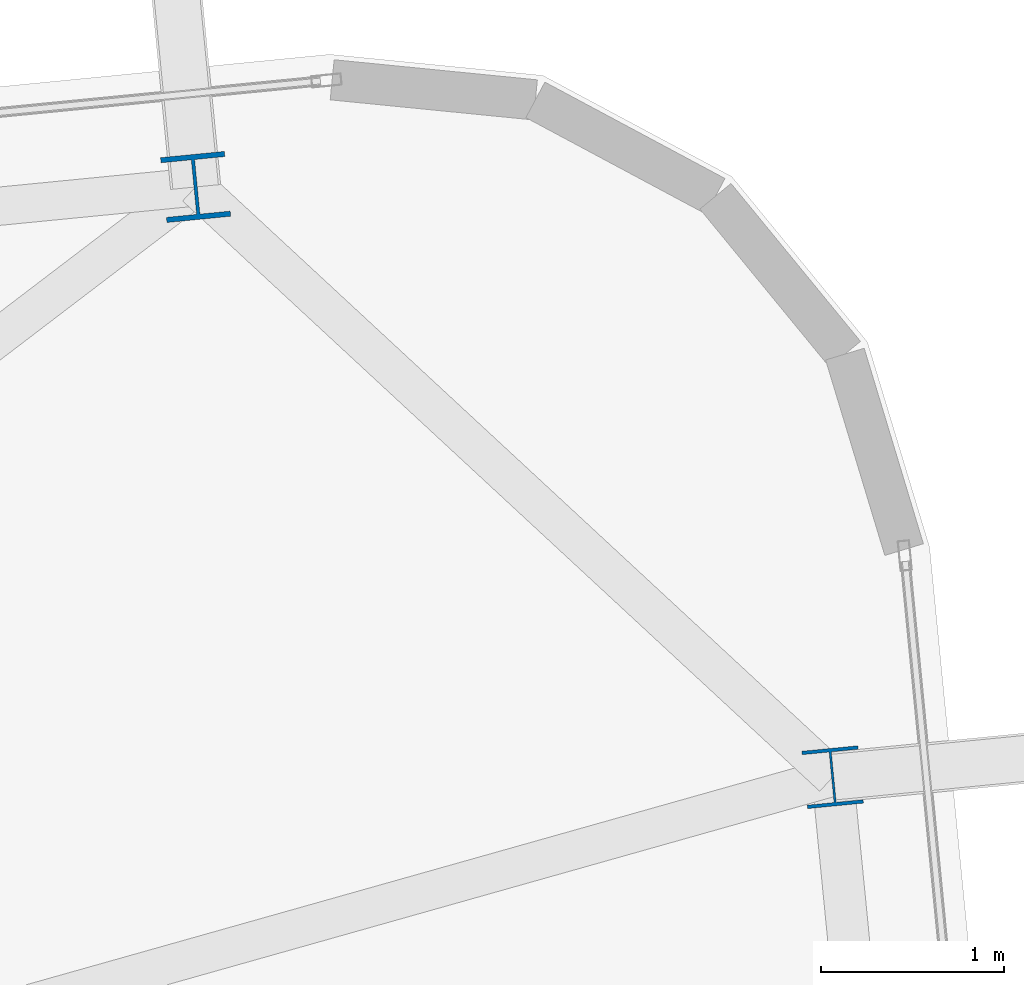
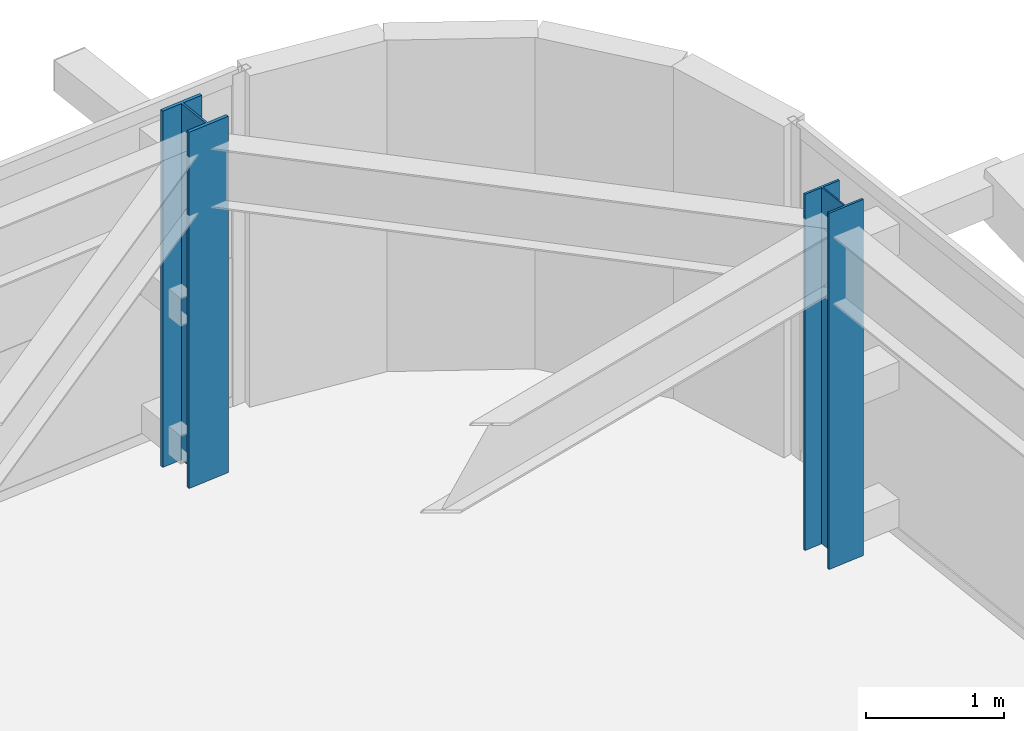
# One storey, part 4 of 47: 2 columns.
"""IFC4 building model written with IfcOpenShell, lengths in metres."""

from ifc_helpers import new_model, si_unit, direction, frame, origin, origin_2d, place, context, subcontext, project, spatial, i_section, extrude, source, transform, mapped, material, material_profile, profile_set, type_object, element, save


model = new_model("IFC4")

# Units and contexts
model_context = context("Model", 3, precision=1e-05, world=origin(), true_north=direction((0.0, 1.0)))
body_context = subcontext(model_context, "Body", "Model", "MODEL_VIEW")
ifc_project = project(units=[si_unit("LENGTHUNIT", "METRE"), si_unit("AREAUNIT", "SQUARE_METRE"), si_unit("VOLUMEUNIT", "CUBIC_METRE"), si_unit("PLANEANGLEUNIT", "RADIAN"), si_unit("MASSUNIT", "GRAM", prefix="KILO")], contexts=[model_context])

# Site, building, storey
site_placement = place(None, origin())
site = spatial("IfcSite", under=ifc_project, at=site_placement, CompositionType="ELEMENT")
building_placement = place(site_placement, origin())
building = spatial("IfcBuilding", under=site, at=building_placement, Name="Taldren Reach Tower", CompositionType="ELEMENT")
storey_placement = place(building_placement, frame((0.0, 0.0, 90.300048828125)))
storey = spatial("IfcBuildingStorey", under=building, at=storey_placement, Name="L27", CompositionType="ELEMENT", Elevation=90.300048828125)

# Columns
ifc_material = material(Name="Steel Gr 350 (350PLUS)", Category="steel")
ifc_material_profile_1 = material_profile(ifc_material, i_section(OverallWidth=0.35009765625, OverallDepth=0.35595703125, WebThickness=0.01806640625, FlangeThickness=0.028076171875, at=origin_2d()), Name="350WC197")
ifc_profile_set_1 = profile_set([ifc_material_profile_1], Name="Steel Gr 350 (350PLUS)")
column_type_1 = type_object("IfcColumnType", Name="COL-WC350", PredefinedType="COLUMN", material=ifc_profile_set_1)
shared_shape_1 = source(origin(), body_context, "Body", "SweptSolid", [
    extrude(i_section(OverallWidth=0.35009765625, OverallDepth=0.35595703125, WebThickness=0.01806640625, FlangeThickness=0.028076171875, at=origin_2d()), origin(), (0.0, 0.0, 1.0), 3.14990234375),
])
column_1_placement = place(storey_placement, frame((59.765869140625, 38.679931640625, 0.0), z_axis=(0.0, 0.0, 1.0), x_axis=(0.995227399982, 0.097582899759, 0.0)))
element("IfcColumn", 1, at=column_1_placement, inside=storey, type_object=column_type_1, Name="Block B2 perimeter column N6 L27", PredefinedType="COLUMN", context=body_context, shape_type="MappedRepresentation", body=[
    mapped(shared_shape_1, transform((0.0, 0.0, 0.0), scale=1.0)),
])
ifc_material_profile_2 = material_profile(ifc_material, i_section(OverallWidth=0.306884765625, OverallDepth=0.31494140625, WebThickness=0.011962890625, FlangeThickness=0.018798828125, at=origin_2d()), Name="310UC118")
ifc_profile_set_2 = profile_set([ifc_material_profile_2], Name="Steel Gr 350 (350PLUS)")
column_type_2 = type_object("IfcColumnType", Name="COL-UC310B", PredefinedType="COLUMN", material=ifc_profile_set_2)
shared_shape_2 = source(origin(), body_context, "Body", "SweptSolid", [
    extrude(i_section(OverallWidth=0.306884765625, OverallDepth=0.31494140625, WebThickness=0.011962890625, FlangeThickness=0.018798828125, at=origin_2d()), origin(), (0.0, 0.0, 1.0), 3.14990234375),
])
column_2_placement = place(storey_placement, frame((63.247314453125, 35.454345703125, 0.0), z_axis=(0.0, 0.0, 1.0), x_axis=(0.995227399982, 0.097582899759, 0.0)))
element("IfcColumn", 2, at=column_2_placement, inside=storey, type_object=column_type_2, Name="Block B2 perimeter column E3 L27", PredefinedType="COLUMN", context=body_context, shape_type="MappedRepresentation", body=[
    mapped(shared_shape_2, transform((0.0, 0.0, 0.0), scale=1.0)),
])

save(model, "model.ifc")
